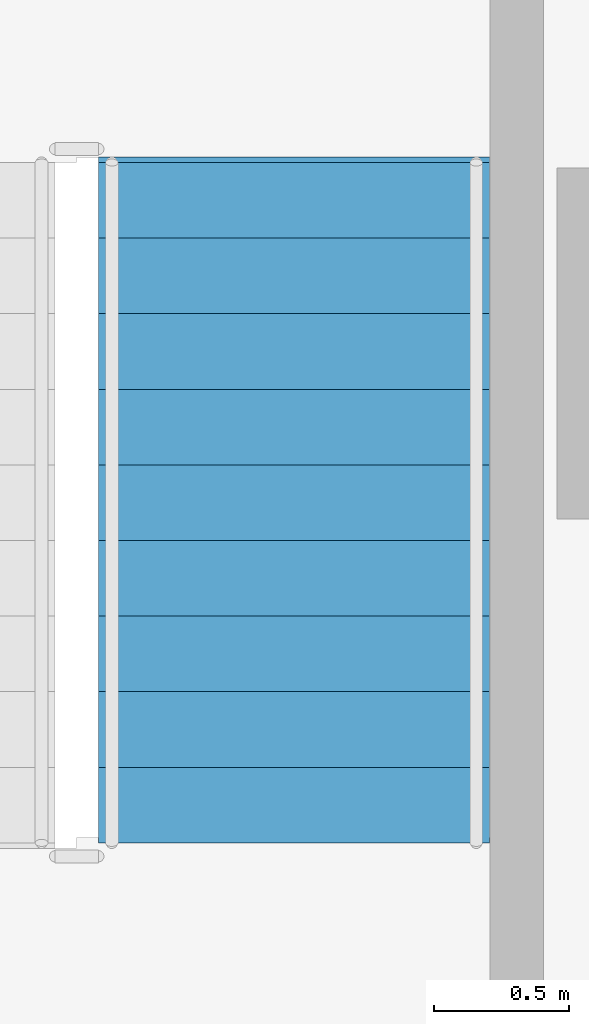
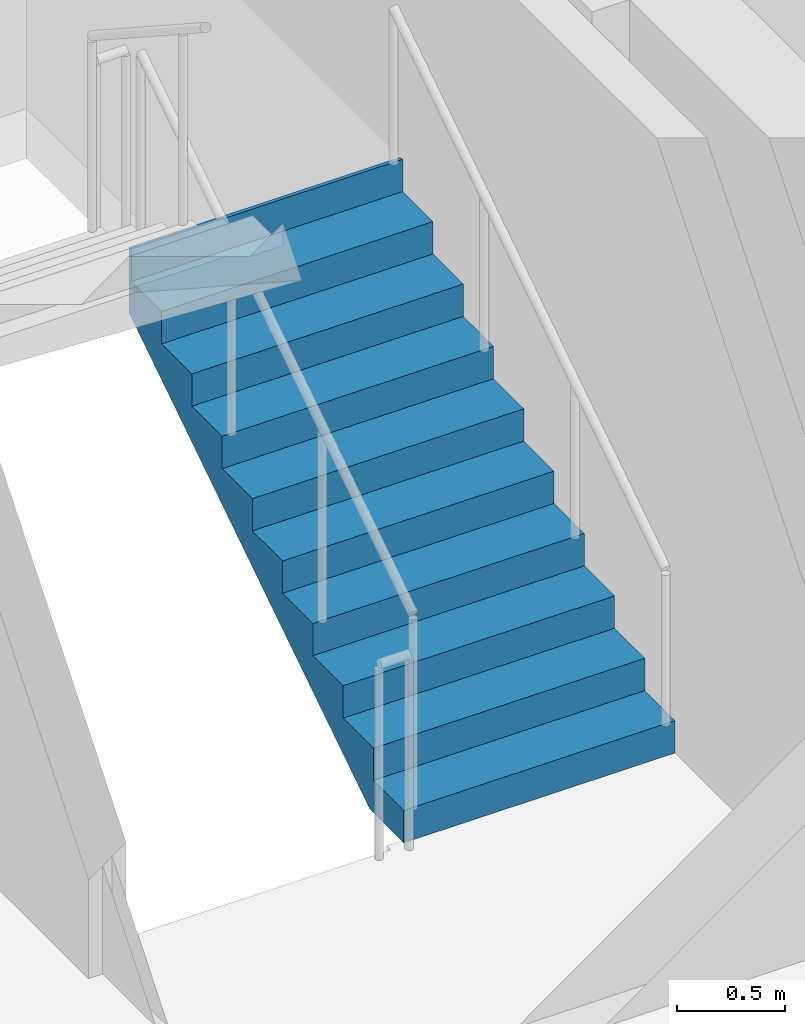
# One storey, part 8 of 12: 1 stair flight, 1 element without a shape of its own.
"""IFC4 building model written with IfcOpenShell, lengths in metres."""

from ifc_helpers import new_model, si_unit, direction, frame, origin, place, context, subcontext, project, spatial, polyline, outline, extrude, material, type_object, element, aggregate, save


model = new_model("IFC4")

# Units and contexts
model_context = context("Model", 3, precision=1e-05, world=origin(), true_north=direction((0.0, 1.0)))
body_context = subcontext(model_context, "Body", "Model", "MODEL_VIEW")
ifc_project = project(units=[si_unit("LENGTHUNIT", "METRE"), si_unit("AREAUNIT", "SQUARE_METRE"), si_unit("VOLUMEUNIT", "CUBIC_METRE"), si_unit("PLANEANGLEUNIT", "RADIAN"), si_unit("MASSUNIT", "GRAM", prefix="KILO")], contexts=[model_context])

# Site, building, storey
site_placement = place(None, origin())
site = spatial("IfcSite", under=ifc_project, at=site_placement, CompositionType="ELEMENT")
building_placement = place(site_placement, origin())
building = spatial("IfcBuilding", under=site, at=building_placement, Name="Nuvemarco Arch Tower", CompositionType="ELEMENT")
storey_placement = place(building_placement, frame((0.0, 0.0, 31.25)))
storey = spatial("IfcBuildingStorey", under=building, at=storey_placement, Name="L07", CompositionType="ELEMENT", Elevation=31.25)

# Stair, stair flight
ifc_material = material(Name="Precast concrete C45/55", Category="concrete")
stair_type = type_object("IfcStairType", Name="ST-CORE-20R", PredefinedType="HALF_TURN_STAIR", material=ifc_material)
stair_placement = place(storey_placement, origin())
stair = element("IfcStair", 1, at=stair_placement, inside=storey, type_object=stair_type, Name="L07 Protected Exit Stair ST-2", PredefinedType="HALF_TURN_STAIR")
stair_flight_type = type_object("IfcStairFlightType", Name="SF-CORE-20R", PredefinedType="STRAIGHT", material=ifc_material)
stair_flight_placement = place(storey_placement, frame((15.875, 2.64990234375, 0.0), z_axis=(0.0, 0.0, 1.0), x_axis=(0.0, 1.0, 0.0)))
stair_flight = element("IfcStairFlight", 2, at=stair_flight_placement, type_object=stair_flight_type, Name="ST-20R flight 1", NumberOfRisers=10, NumberOfTreads=9, PredefinedType="STRAIGHT", RiserHeight=0.1825, TreadLength=0.28, context=body_context, shape_type="SweptSolid", body=[
    extrude(outline(polyline([(0.0, 0.0), (0.0, 0.1826171875), (0.280029296875, 0.1826171875), (0.280029296875, 0.364990234375), (0.56005859375, 0.364990234375), (0.56005859375, 0.547607421875), (0.840087890625, 0.547607421875), (0.840087890625, 0.72998046875), (1.1201171875, 0.72998046875), (1.1201171875, 0.91259765625), (1.39990234375, 0.91259765625), (1.39990234375, 1.094970703125), (1.679931640625, 1.094970703125), (1.679931640625, 1.277587890625), (1.9599609375, 1.277587890625), (1.9599609375, 1.4599609375), (2.239990234375, 1.4599609375), (2.239990234375, 1.642578125), (2.52001953125, 1.642578125), (2.52001953125, 1.824951171875), (2.5400390625, 1.824951171875), (2.5400390625, 1.45166015625), (0.312744140625, 0.0), (0.0, 0.0)])), frame((0.0, 0.72509765625, 0.0), z_axis=(0.0, -1.0, 0.0), x_axis=(1.0, 0.0, 0.0)), (0.0, 0.0, 1.0), 1.449951171875),
])
aggregate(stair, [stair_flight])

save(model, "model.ifc")
